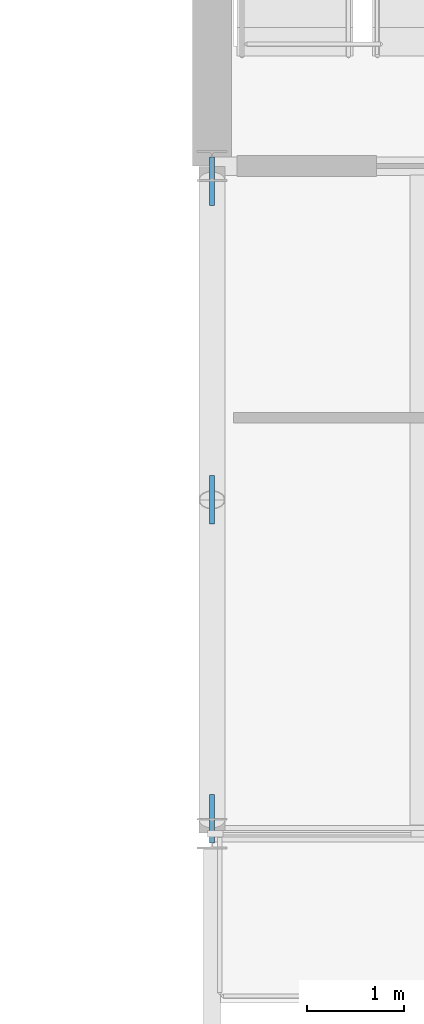
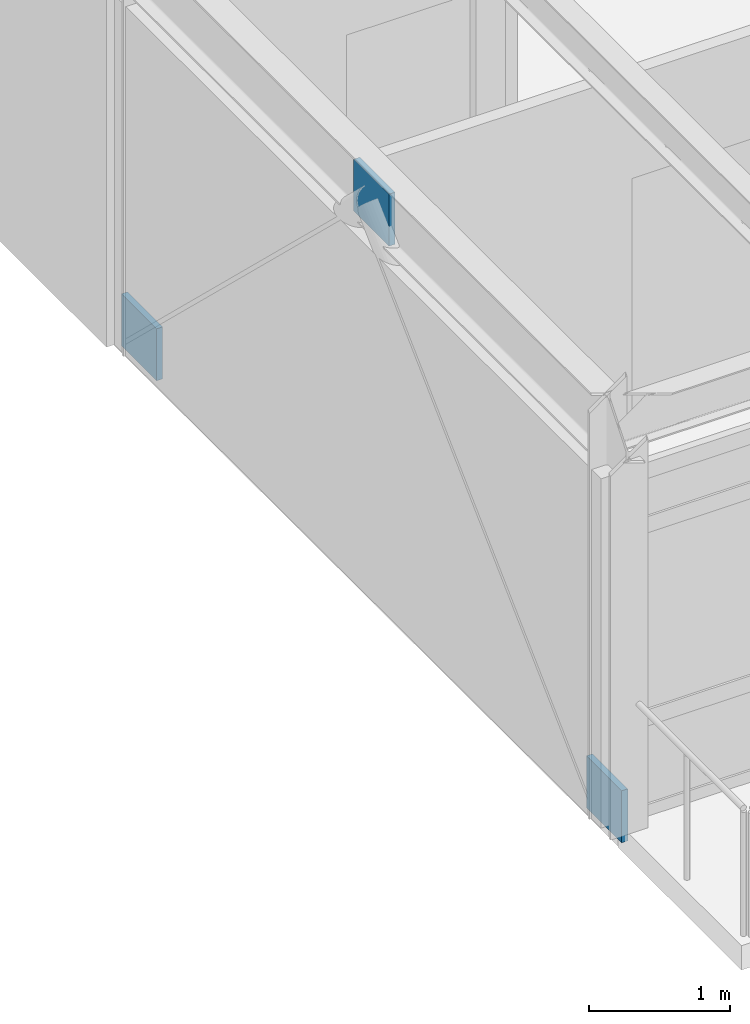
# One storey, part 43 of 57: 3 plates.
"""IFC4 building model written with IfcOpenShell, lengths in metres."""

from ifc_helpers import new_model, si_unit, direction, frame, origin, origin_2d, place, context, subcontext, project, spatial, rectangle, extrude, material, layer, layer_set, type_object, element, save


model = new_model("IFC4")

# Units and contexts
model_context = context("Model", 3, precision=1e-05, world=origin(), true_north=direction((0.0, 1.0)))
body_context = subcontext(model_context, "Body", "Model", "MODEL_VIEW")
ifc_project = project(units=[si_unit("LENGTHUNIT", "METRE"), si_unit("AREAUNIT", "SQUARE_METRE"), si_unit("VOLUMEUNIT", "CUBIC_METRE"), si_unit("PLANEANGLEUNIT", "RADIAN"), si_unit("MASSUNIT", "GRAM", prefix="KILO")], contexts=[model_context])

# Site, building, storey
site_placement = place(None, origin())
site = spatial("IfcSite", under=ifc_project, at=site_placement, CompositionType="ELEMENT")
building_placement = place(site_placement, origin())
building = spatial("IfcBuilding", under=site, at=building_placement, Name="Trelmorton Wharf Fire Station", CompositionType="ELEMENT")
storey_placement = place(building_placement, frame((0.0, 0.0, 13.5)))
storey = spatial("IfcBuildingStorey", under=building, at=storey_placement, Name="L03", CompositionType="ELEMENT", Elevation=13.5)

# Plates
ifc_material = material(Name="Steel Grade 350", Category="steel")
ifc_layer = layer(ifc_material, 0.050048828125)
ifc_layer_set = layer_set([ifc_layer], Name="Steel Grade 350")
plate_type = type_object("IfcPlateType", Name="PL_GUSSET_TN2", PredefinedType="USERDEFINED", material=ifc_layer_set)
for number, where, z_axis, x_axis, name in (
    (1, (70.800048828125, 60.45458984375, -0.10498046875), (0.0, 0.0, 1.0), (1.0, 0.0, 0.0), "PL-CBF-0409"),
    (2, (70.800048828125, 67.04248046875, -0.10498046875), (0.0, 0.0, 1.0), (1.0, 0.0, 0.0), "PL-CBF-0410"),
    (3, (70.800048828125, 63.75, 3.05517578125), (0.0, 0.0, 1.0), (1.0, 0.0, 0.0), "PL-CBF-0411"),
):
    element("IfcPlate", number, at=place(storey_placement, frame(where, z_axis=z_axis, x_axis=x_axis)), inside=storey, type_object=plate_type, Name=name, ObjectType="GUSSET PLATE", PredefinedType="USERDEFINED", context=body_context, shape_type="SweptSolid", body=[
        extrude(rectangle(XDim=0.050048828125, YDim=0.5, at=origin_2d()), origin(), (0.0, 0.0, 1.0), 0.449951171875),
    ])

save(model, "model.ifc")
